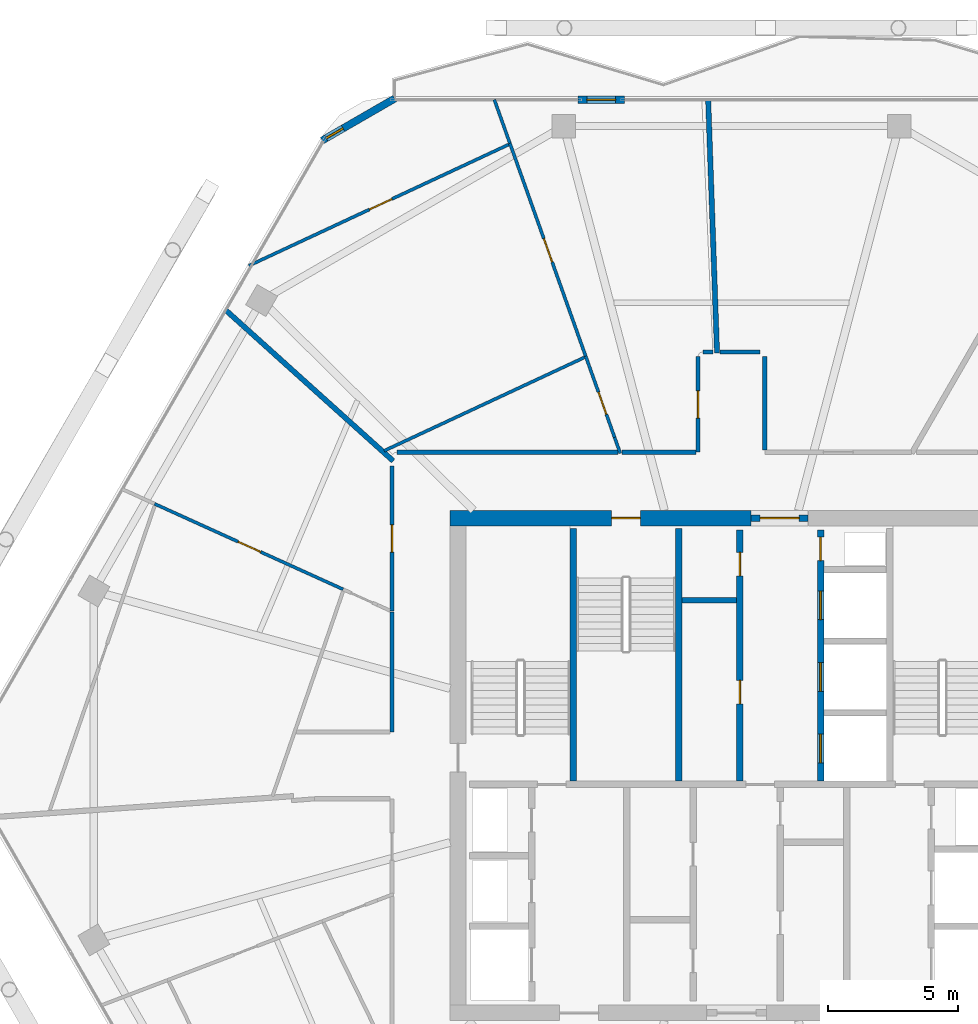
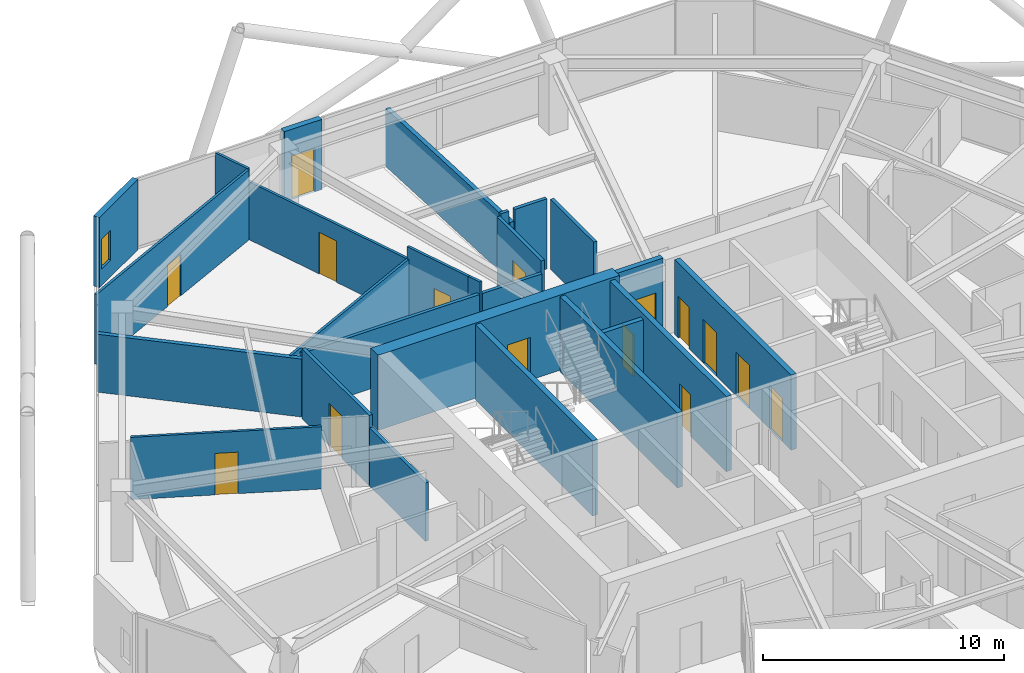
# One storey, part 23 of 26: 26 walls, 15 doors, 1 window, 16 openings.
"""IFC4 building model written with IfcOpenShell, lengths in metres."""

from ifc_helpers import new_model, si_unit, direction, frame, frame_2d, origin, place, context, subcontext, project, spatial, rectangle, extrude, material, layer, layer_set, type_object, element, fill, save


model = new_model("IFC4")

# Units and contexts
model_context = context("Model", 3, precision=1e-05, world=origin(), true_north=direction((0.0, 1.0)))
body_context = subcontext(model_context, "Body", "Model", "MODEL_VIEW")
ifc_project = project(units=[si_unit("LENGTHUNIT", "METRE"), si_unit("AREAUNIT", "SQUARE_METRE"), si_unit("VOLUMEUNIT", "CUBIC_METRE"), si_unit("PLANEANGLEUNIT", "RADIAN"), si_unit("MASSUNIT", "GRAM", prefix="KILO")], contexts=[model_context])

# Site, building, storey
site_placement = place(None, origin())
site = spatial("IfcSite", under=ifc_project, at=site_placement, CompositionType="ELEMENT")
building_placement = place(site_placement, origin())
building = spatial("IfcBuilding", under=site, at=building_placement, Name="Zuhravey Tower", CompositionType="ELEMENT")
storey_placement = place(building_placement, frame((0.0, 0.0, 231.199951171875)))
storey = spatial("IfcBuildingStorey", under=building, at=storey_placement, Name="L58", CompositionType="ELEMENT", Elevation=231.199951171875)

# Wall, opening, door
ifc_material_1 = material(Name="Concrete C50/60", Category="concrete")
ifc_layer_1 = layer(ifc_material_1, 0.60009765625)
ifc_layer_set_1 = layer_set([ifc_layer_1], Name="Concrete C50/60")
wall_type_1 = type_object("IfcWallType", Name="Core Shear Wall 600", PredefinedType="SHEAR", material=ifc_layer_set_1)
wall_1_placement = place(storey_placement, frame((36.75, 41.5, 0.0), z_axis=(0.0, 0.0, 1.0), x_axis=(-1.0, 0.0, 0.0)))
wall_1 = element("IfcWall", 1, at=wall_1_placement, inside=storey, type_object=wall_type_1, Name="L58 North-West Core Shear Wall CW60", PredefinedType="SHEAR", context=body_context, shape_type="SweptSolid", body=[
    extrude(rectangle(XDim=11.550048828125, YDim=0.60009765625, at=frame_2d((5.77490234375, 0.0))), origin(), (0.0, 0.0, 1.0), 3.800048828125),
])
opening_1_placement = place(wall_1_placement, frame((4.25, 0.0, 0.0)))
opening_1 = element("IfcOpeningElement", 2, at=opening_1_placement, cuts=wall_1, Name="Opening STD1", PredefinedType="OPENING", context=body_context, shape_type="SweptSolid", body=[
    extrude(rectangle(XDim=1.10009765625, YDim=2.14990234375, at=frame_2d((0.550048828125, 1.074951171875))), frame((0.0, 0.31201171875, 0.0), z_axis=(0.0, -1.0, 0.0), x_axis=(1.0, 0.0, 0.0)), (0.0, 0.0, 1.0), 0.6240234375),
])
ifc_material_2 = material(Name="Galvanised fire-rated steel leaf", Category="steel")
door_type_1 = type_object("IfcDoorType", Name="Protected Stair Fire Door 1100x2150", OperationType="NOTDEFINED", PredefinedType="USERDEFINED", material=ifc_material_2)
door_1_placement = place(opening_1_placement, origin())
door_1 = element("IfcDoor", 3, at=door_1_placement, inside=storey, type_object=door_type_1, Name="L58 Stair ST3 Door", ObjectType="EXITDOOR", OperationType="SINGLE_SWING_LEFT", OverallHeight=2.14990234375, OverallWidth=1.10009765625, PredefinedType="USERDEFINED", context=body_context, shape_type="SweptSolid", body=[
    extrude(rectangle(XDim=1.10009765625, YDim=2.14990234375, at=frame_2d((0.550048828125, 1.074951171875))), frame((0.0, 0.02490234375, 0.0), z_axis=(0.0, -1.0, 0.0), x_axis=(1.0, 0.0, 0.0)), (0.0, 0.0, 1.0), 0.050048828125),
])
fill(opening_1, door_1)

ifc_material_3 = material(Name="Gypsum fire-rated stud partition")
ifc_layer_2 = layer(ifc_material_3, 0.159912109375)
ifc_layer_set_2 = layer_set([ifc_layer_2], Name="Gypsum fire-rated stud partition")
wall_type_2 = type_object("IfcWallType", Name="Corridor Fire Partition 160", PredefinedType="PARTITIONING", material=ifc_layer_set_2)
wall_2_placement = place(storey_placement, frame((34.719970703125, 47.699951171875, 0.0), z_axis=(0.0, 0.0, 1.0), x_axis=(0.0, -1.0, 0.0)))
wall_2 = element("IfcWall", 4, at=wall_2_placement, inside=storey, type_object=wall_type_2, Name="L58 IW16 Partition 024", PredefinedType="PARTITIONING", context=body_context, shape_type="SweptSolid", body=[
    extrude(rectangle(XDim=3.669921875, YDim=0.159912109375, at=frame_2d((1.8349609375, 0.0))), origin(), (0.0, 0.0, 1.0), 3.550048828125),
])
opening_2_placement = place(wall_2_placement, frame((1.31005859375, 0.0, 0.0)))
opening_2 = element("IfcOpeningElement", 5, at=opening_2_placement, cuts=wall_2, Name="Opening APD1", PredefinedType="OPENING", context=body_context, shape_type="SweptSolid", body=[
    extrude(rectangle(XDim=1.050048828125, YDim=2.14990234375, at=frame_2d((0.52490234375, 1.074951171875))), frame((0.0, 0.092041015625, 0.0), z_axis=(0.0, -1.0, 0.0), x_axis=(1.0, 0.0, 0.0)), (0.0, 0.0, 1.0), 0.183837890625),
])
ifc_material_4 = material(Name="Solid-core oak fire-rated leaf")
door_type_2 = type_object("IfcDoorType", Name="Apartment Entrance Fire Door 1050x2150", OperationType="NOTDEFINED", PredefinedType="DOOR", material=ifc_material_4)
door_2_placement = place(opening_2_placement, frame((1.050048828125, 0.0, 0.0), z_axis=(0.0, 0.0, 1.0), x_axis=(-1.0, 0.0, 0.0)))
door_2 = element("IfcDoor", 6, at=door_2_placement, inside=storey, type_object=door_type_2, Name="L58 Door 024.1", OperationType="SINGLE_SWING_RIGHT", OverallHeight=2.14990234375, OverallWidth=1.050048828125, PredefinedType="DOOR", context=body_context, shape_type="SweptSolid", body=[
    extrude(rectangle(XDim=1.050048828125, YDim=2.14990234375, at=frame_2d((0.52490234375, 1.074951171875))), frame((0.0, 0.02490234375, 0.0), z_axis=(0.0, -1.0, 0.0), x_axis=(1.0, 0.0, 0.0)), (0.0, 0.0, 1.0), 0.050048828125),
])
fill(opening_2, door_2)

wall_3_placement = place(storey_placement, frame((22.969970703125, 43.501220703125, 0.0), z_axis=(0.0, 0.0, 1.0), x_axis=(0.0, -1.0, 0.0)))
wall_3 = element("IfcWall", 7, at=wall_3_placement, inside=storey, type_object=wall_type_2, Name="L58 IW16 Partition 028", PredefinedType="PARTITIONING", context=body_context, shape_type="SweptSolid", body=[
    extrude(rectangle(XDim=5.568603515625, YDim=0.159912109375, at=frame_2d((2.7841796875, 0.0))), origin(), (0.0, 0.0, 1.0), 3.550048828125),
])
opening_3_placement = place(wall_3_placement, frame((2.25927734375, 0.0, 0.0)))
opening_3 = element("IfcOpeningElement", 8, at=opening_3_placement, cuts=wall_3, Name="Opening APD1", PredefinedType="OPENING", context=body_context, shape_type="SweptSolid", body=[
    extrude(rectangle(XDim=1.050048828125, YDim=2.14990234375, at=frame_2d((0.52490234375, 1.074951171875))), frame((0.0, 0.092041015625, 0.0), z_axis=(0.0, -1.0, 0.0), x_axis=(1.0, 0.0, 0.0)), (0.0, 0.0, 1.0), 0.183837890625),
])
door_3_placement = place(opening_3_placement, frame((1.050048828125, 0.0, 0.0), z_axis=(0.0, 0.0, 1.0), x_axis=(-1.0, 0.0, 0.0)))
door_3 = element("IfcDoor", 9, at=door_3_placement, inside=storey, type_object=door_type_2, Name="L58 Door 028.1", OperationType="SINGLE_SWING_RIGHT", OverallHeight=2.14990234375, OverallWidth=1.050048828125, PredefinedType="DOOR", context=body_context, shape_type="SweptSolid", body=[
    extrude(rectangle(XDim=1.050048828125, YDim=2.14990234375, at=frame_2d((0.52490234375, 1.074951171875))), frame((0.0, 0.02490234375, 0.0), z_axis=(0.0, -1.0, 0.0), x_axis=(1.0, 0.0, 0.0)), (0.0, 0.0, 1.0), 0.050048828125),
])
fill(opening_3, door_3)

# Walls
wall_4_placement = place(storey_placement, frame((34.632080078125, 44.030029296875, 0.0), z_axis=(0.0, 0.0, 1.0), x_axis=(-1.0, 0.0, 0.0)))
element("IfcWall", 10, at=wall_4_placement, inside=storey, type_object=wall_type_2, Name="L58 IW16 Partition 094", PredefinedType="PARTITIONING", context=body_context, shape_type="SweptSolid", body=[
    extrude(rectangle(XDim=2.843505859375, YDim=0.159912109375, at=frame_2d((1.421875, 0.0))), origin(), (0.0, 0.0, 1.0), 2.949951171875),
])
wall_5_placement = place(storey_placement, frame((35.28662109375, 47.8798828125, 0.0), z_axis=(0.0, 0.0, 1.0), x_axis=(-1.0, 0.0, 0.0)))
element("IfcWall", 11, at=wall_5_placement, inside=storey, type_object=wall_type_2, Name="L58 IW16 Partition 095", PredefinedType="PARTITIONING", context=body_context, shape_type="SweptSolid", body=[
    extrude(rectangle(XDim=0.38671875, YDim=0.159912109375, at=frame_2d((0.193359375, 0.0))), origin(), (0.0, 0.0, 1.0), 3.550048828125),
])
wall_6_placement = place(storey_placement, frame((31.64404296875, 44.030029296875, 0.0), z_axis=(0.0, 0.0, 1.0), x_axis=(-1.0, 0.0, 0.0)))
element("IfcWall", 12, at=wall_6_placement, inside=storey, type_object=wall_type_2, Name="L58 IW16 Partition 096", PredefinedType="PARTITIONING", context=body_context, shape_type="SweptSolid", body=[
    extrude(rectangle(XDim=8.494140625, YDim=0.159912109375, at=frame_2d((4.2470703125, 0.0))), origin(), (0.0, 0.0, 1.0), 2.949951171875),
])
wall_7_placement = place(storey_placement, frame((22.969970703125, 37.888671875, 0.0), z_axis=(0.0, 0.0, 1.0), x_axis=(0.0, -1.0, 0.0)))
element("IfcWall", 13, at=wall_7_placement, inside=storey, type_object=wall_type_2, Name="L58 IW16 Partition 097", PredefinedType="PARTITIONING", context=body_context, shape_type="SweptSolid", body=[
    extrude(rectangle(XDim=4.608642578125, YDim=0.159912109375, at=frame_2d((2.30419921875, 0.0))), origin(), (0.0, 0.0, 1.0), 2.949951171875),
])
wall_8_placement = place(storey_placement, frame((37.280029296875, 44.117919921875, 0.0), z_axis=(0.0, 0.0, 1.0), x_axis=(0.0, 1.0, 0.0)))
element("IfcWall", 14, at=wall_8_placement, inside=storey, type_object=wall_type_2, Name="L58 IW16 Partition 114", PredefinedType="PARTITIONING", context=body_context, shape_type="SweptSolid", body=[
    extrude(rectangle(XDim=3.58203125, YDim=0.159912109375, at=frame_2d((1.791015625, 0.0))), origin(), (0.0, 0.0, 1.0), 3.550048828125),
])
wall_9_placement = place(storey_placement, frame((37.10009765625, 47.8798828125, 0.0), z_axis=(0.0, 0.0, 1.0), x_axis=(-1.0, 0.0, 0.0)))
element("IfcWall", 15, at=wall_9_placement, inside=storey, type_object=wall_type_2, Name="L58 IW16 Partition 115", PredefinedType="PARTITIONING", context=body_context, shape_type="SweptSolid", body=[
    extrude(rectangle(XDim=1.54638671875, YDim=0.159912109375, at=frame_2d((0.773193359375, 0.0))), origin(), (0.0, 0.0, 1.0), 3.550048828125),
])

# Wall, opening, window
ifc_material_5 = material(Name="Precast concrete C40/50", Category="concrete")
ifc_layer_3 = layer(ifc_material_5, 0.280029296875)
ifc_layer_set_3 = layer_set([ifc_layer_3], Name="Precast concrete C40/50")
wall_type_3 = type_object("IfcWallType", Name="Crown Architectural Wall 280", PredefinedType="SOLIDWALL", material=ifc_layer_set_3)
wall_10_placement = place(storey_placement, frame((20.285400390625, 56.003662109375, 0.0), z_axis=(0.0, 0.0, 1.0), x_axis=(0.866028773314, 0.499994163758, 0.0)))
wall_10 = element("IfcWall", 16, at=wall_10_placement, inside=storey, type_object=wall_type_3, Name="L58 Rounded Corner Closure Wall EW28-08", PredefinedType="SOLIDWALL", context=body_context, shape_type="SweptSolid", body=[
    extrude(rectangle(XDim=3.21484375, YDim=0.280029296875, at=frame_2d((1.607421875, 0.0))), origin(), (0.0, 0.0, 1.0), 3.550048828125),
])
opening_4_placement = place(wall_10_placement, frame((0.17578125, 0.0, 0.85009765625)))
opening_4 = element("IfcOpeningElement", 17, at=opening_4_placement, cuts=wall_10, Name="Opening WN5", PredefinedType="OPENING", context=body_context, shape_type="SweptSolid", body=[
    extrude(rectangle(XDim=0.75, YDim=1.5, at=frame_2d((0.375, 0.75))), frame((0.0, 0.152099609375, 0.0), z_axis=(0.0, -1.0, 0.0), x_axis=(1.0, 0.0, 0.0)), (0.0, 0.0, 1.0), 0.303955078125),
])
ifc_material_6 = material(Name="Thermally broken aluminium and triple low-E glass", Category="aluminium")
window_type = type_object("IfcWindowType", Name="Residential Corner Casement Window 750x1500", PartitioningType="SINGLE_PANEL", PredefinedType="WINDOW", material=ifc_material_6)
window_placement = place(opening_4_placement, origin())
window = element("IfcWindow", 18, at=window_placement, inside=storey, type_object=window_type, Name="L58 Corner Casement Window WN5-08.1", OverallHeight=1.5, OverallWidth=0.75, PartitioningType="SINGLE_PANEL", PredefinedType="WINDOW", context=body_context, shape_type="SweptSolid", body=[
    extrude(rectangle(XDim=0.75, YDim=1.5, at=frame_2d((0.375, 0.75))), frame((0.0, 0.030029296875, 0.0), z_axis=(0.0, -1.0, 0.0), x_axis=(1.0, 0.0, 0.0)), (0.0, 0.0, 1.0), 0.06005859375),
])
fill(opening_4, window)

# Wall, opening, door
wall_11_placement = place(storey_placement, frame((30.10400390625, 57.563720703125, 0.0), z_axis=(0.0, 0.0, 1.0), x_axis=(1.0, 0.0, 0.0)))
wall_11 = element("IfcWall", 19, at=wall_11_placement, inside=storey, type_object=wall_type_3, Name="L58 Face 2 Facade Pier EW28-1", PredefinedType="SOLIDWALL", context=body_context, shape_type="SweptSolid", body=[
    extrude(rectangle(XDim=1.7900390625, YDim=0.280029296875, at=frame_2d((0.89501953125, 0.0))), origin(), (0.0, 0.0, 1.0), 3.550048828125),
])
opening_5_placement = place(wall_11_placement, frame((0.344970703125, 0.0, 0.0)))
opening_5 = element("IfcOpeningElement", 20, at=opening_5_placement, cuts=wall_11, Name="Opening BLD1", PredefinedType="OPENING", context=body_context, shape_type="SweptSolid", body=[
    extrude(rectangle(XDim=1.10009765625, YDim=2.199951171875, at=frame_2d((0.550048828125, 1.10009765625))), frame((0.0, 0.152099609375, 0.0), z_axis=(0.0, -1.0, 0.0), x_axis=(1.0, 0.0, 0.0)), (0.0, 0.0, 1.0), 0.303955078125),
])
ifc_material_7 = material(Name="Thermally broken aluminium and low-E glass", Category="aluminium")
door_type_3 = type_object("IfcDoorType", Name="Balcony & Sky-Tray Glazed Door 1100x2200", OperationType="NOTDEFINED", PredefinedType="DOOR", material=ifc_material_7)
door_4_placement = place(opening_5_placement, frame((1.10009765625, 0.0, 0.0), z_axis=(0.0, 0.0, 1.0), x_axis=(-1.0, 0.0, 0.0)))
door_4 = element("IfcDoor", 21, at=door_4_placement, inside=storey, type_object=door_type_3, Name="L58 Face 2 Wave Balcony Door", OperationType="SINGLE_SWING_RIGHT", OverallHeight=2.199951171875, OverallWidth=1.10009765625, PredefinedType="DOOR", context=body_context, shape_type="SweptSolid", body=[
    extrude(rectangle(XDim=1.10009765625, YDim=2.199951171875, at=frame_2d((0.550048828125, 1.10009765625))), frame((0.0, 0.02490234375, 0.0), z_axis=(0.0, -1.0, 0.0), x_axis=(1.0, 0.0, 0.0)), (0.0, 0.0, 1.0), 0.050048828125),
])
fill(opening_5, door_4)

ifc_layer_4 = layer(ifc_material_1, 0.25)
ifc_layer_set_4 = layer_set([ifc_layer_4], Name="Concrete C50/60")
wall_type_4 = type_object("IfcWallType", Name="Firefighting Shaft & Stair Wall 250", PredefinedType="SOLIDWALL", material=ifc_layer_set_4)
wall_12_placement = place(storey_placement, frame((36.760009765625, 41.5, 0.0), z_axis=(0.0, 0.0, 1.0), x_axis=(1.0, 0.0, 0.0)))
wall_12 = element("IfcWall", 22, at=wall_12_placement, inside=storey, type_object=wall_type_4, Name="L58 FW25 Shaft Wall 002", PredefinedType="SOLIDWALL", context=body_context, shape_type="SweptSolid", body=[
    extrude(rectangle(XDim=2.179931640625, YDim=0.25, at=frame_2d((1.08984375, 0.0))), origin(), (0.0, 0.0, 1.0), 3.800048828125),
])
opening_6_placement = place(wall_12_placement, frame((0.340087890625, 0.0, 0.0)))
opening_6 = element("IfcOpeningElement", 23, at=opening_6_placement, cuts=wall_12, Name="Opening FFD1", PredefinedType="OPENING", context=body_context, shape_type="SweptSolid", body=[
    extrude(rectangle(XDim=1.5, YDim=2.14990234375, at=frame_2d((0.75, 1.074951171875))), frame((0.0, 0.136962890625, 0.0), z_axis=(0.0, -1.0, 0.0), x_axis=(1.0, 0.0, 0.0)), (0.0, 0.0, 1.0), 0.27392578125),
])
door_type_4 = type_object("IfcDoorType", Name="Firefighting Lobby Double Door 1500x2150", OperationType="DOUBLE_DOOR_SINGLE_SWING", PredefinedType="DOOR", material=ifc_material_2)
door_5_placement = place(opening_6_placement, origin())
door_5 = element("IfcDoor", 24, at=door_5_placement, inside=storey, type_object=door_type_4, Name="L58 North Lift Lobby Exit Door", OperationType="DOUBLE_DOOR_SINGLE_SWING", OverallHeight=2.14990234375, OverallWidth=1.5, PredefinedType="DOOR", context=body_context, shape_type="SweptSolid", body=[
    extrude(rectangle(XDim=1.5, YDim=2.14990234375, at=frame_2d((0.75, 1.074951171875))), frame((0.0, 0.02490234375, 0.0), z_axis=(0.0, -1.0, 0.0), x_axis=(1.0, 0.0, 0.0)), (0.0, 0.0, 1.0), 0.050048828125),
])
fill(opening_6, door_5)

# Walls
for number, where, z_axis, x_axis, name in (
    (25, (29.925048828125, 31.39990234375, 0.0), (0.0, 0.0, 1.0), (0.0, 1.0, 0.0), "L58 FW25 Shaft Wall 004"),
    (26, (33.97509765625, 31.39990234375, 0.0), (0.0, 0.0, 1.0), (0.0, 1.0, 0.0), "L58 FW25 Shaft Wall 005"),
):
    element("IfcWall", number, at=place(storey_placement, frame(where, z_axis=z_axis, x_axis=x_axis)), inside=storey, type_object=wall_type_4, Name=name, PredefinedType="SOLIDWALL", context=body_context, shape_type="SweptSolid", body=[
        extrude(rectangle(XDim=9.7001953125, YDim=0.25, at=frame_2d((4.85009765625, 0.0))), origin(), (0.0, 0.0, 1.0), 3.800048828125),
    ])

# Wall, openings, doors
wall_13_placement = place(storey_placement, frame((36.324951171875, 31.39990234375, 0.0), z_axis=(0.0, 0.0, 1.0), x_axis=(0.0, 1.0, 0.0)))
wall_13 = element("IfcWall", 27, at=wall_13_placement, inside=storey, type_object=wall_type_4, Name="L58 FW25 Shaft Wall 007", PredefinedType="SOLIDWALL", context=body_context, shape_type="SweptSolid", body=[
    extrude(rectangle(XDim=9.650146484375, YDim=0.25, at=frame_2d((4.8251953125, 0.0))), origin(), (0.0, 0.0, 1.0), 3.800048828125),
])
opening_7_placement = place(wall_13_placement, frame((2.965087890625, 0.0, 0.0)))
opening_7 = element("IfcOpeningElement", 28, at=opening_7_placement, cuts=wall_13, Name="Opening RSD1", PredefinedType="OPENING", context=body_context, shape_type="SweptSolid", body=[
    extrude(rectangle(XDim=0.89990234375, YDim=2.10009765625, at=frame_2d((0.449951171875, 1.050048828125))), frame((0.0, 0.136962890625, 0.0), z_axis=(0.0, -1.0, 0.0), x_axis=(1.0, 0.0, 0.0)), (0.0, 0.0, 1.0), 0.27392578125),
])
opening_8_placement = place(wall_13_placement, frame((7.885009765625, 0.0, 0.0)))
opening_8 = element("IfcOpeningElement", 29, at=opening_8_placement, cuts=wall_13, Name="Opening RSD1", PredefinedType="OPENING", context=body_context, shape_type="SweptSolid", body=[
    extrude(rectangle(XDim=0.89990234375, YDim=2.10009765625, at=frame_2d((0.449951171875, 1.050048828125))), frame((0.0, 0.136962890625, 0.0), z_axis=(0.0, -1.0, 0.0), x_axis=(1.0, 0.0, 0.0)), (0.0, 0.0, 1.0), 0.27392578125),
])
ifc_material_8 = material(Name="Galvanised fire-rated steel access leaf", Category="steel")
door_type_5 = type_object("IfcDoorType", Name="Riser & Shaft Access Fire Door 900x2100", OperationType="NOTDEFINED", PredefinedType="DOOR", material=ifc_material_8)
door_6_placement = place(opening_7_placement, origin())
door_6 = element("IfcDoor", 30, at=door_6_placement, inside=storey, type_object=door_type_5, Name="L58 Equipment and Refuse Store Door", OperationType="SINGLE_SWING_LEFT", OverallHeight=2.10009765625, OverallWidth=0.89990234375, PredefinedType="DOOR", context=body_context, shape_type="SweptSolid", body=[
    extrude(rectangle(XDim=0.89990234375, YDim=2.10009765625, at=frame_2d((0.449951171875, 1.050048828125))), frame((0.0, 0.02490234375, 0.0), z_axis=(0.0, -1.0, 0.0), x_axis=(1.0, 0.0, 0.0)), (0.0, 0.0, 1.0), 0.050048828125),
])
fill(opening_7, door_6)
door_7_placement = place(opening_8_placement, origin())
door_7 = element("IfcDoor", 31, at=door_7_placement, inside=storey, type_object=door_type_5, Name="L58 BMS Control Room Door", OperationType="SINGLE_SWING_RIGHT", OverallHeight=2.10009765625, OverallWidth=0.89990234375, PredefinedType="DOOR", context=body_context, shape_type="SweptSolid", body=[
    extrude(rectangle(XDim=0.89990234375, YDim=2.10009765625, at=frame_2d((0.449951171875, 1.050048828125))), frame((0.0, 0.02490234375, 0.0), z_axis=(0.0, -1.0, 0.0), x_axis=(1.0, 0.0, 0.0)), (0.0, 0.0, 1.0), 0.050048828125),
])
fill(opening_8, door_7)

wall_14_placement = place(storey_placement, frame((39.425048828125, 31.39990234375, 0.0), z_axis=(0.0, 0.0, 1.0), x_axis=(0.0, 1.0, 0.0)))
wall_14 = element("IfcWall", 32, at=wall_14_placement, inside=storey, type_object=wall_type_4, Name="L58 FW25 Shaft Wall 008", PredefinedType="SOLIDWALL", context=body_context, shape_type="SweptSolid", body=[
    extrude(rectangle(XDim=9.650146484375, YDim=0.25, at=frame_2d((4.8251953125, 0.0))), origin(), (0.0, 0.0, 1.0), 3.800048828125),
])
opening_9_placement = place(wall_14_placement, frame((0.699951171875, 0.0, 0.0)))
opening_9 = element("IfcOpeningElement", 33, at=opening_9_placement, cuts=wall_14, Name="Opening LD1", PredefinedType="OPENING", context=body_context, shape_type="SweptSolid", body=[
    extrude(rectangle(XDim=1.10009765625, YDim=2.199951171875, at=frame_2d((0.550048828125, 1.10009765625))), frame((0.0, 0.136962890625, 0.0), z_axis=(0.0, -1.0, 0.0), x_axis=(1.0, 0.0, 0.0)), (0.0, 0.0, 1.0), 0.27392578125),
])
opening_10_placement = place(wall_14_placement, frame((3.449951171875, 0.0, 0.0)))
opening_10 = element("IfcOpeningElement", 34, at=opening_10_placement, cuts=wall_14, Name="Opening LD1", PredefinedType="OPENING", context=body_context, shape_type="SweptSolid", body=[
    extrude(rectangle(XDim=1.10009765625, YDim=2.199951171875, at=frame_2d((0.550048828125, 1.10009765625))), frame((0.0, 0.136962890625, 0.0), z_axis=(0.0, -1.0, 0.0), x_axis=(1.0, 0.0, 0.0)), (0.0, 0.0, 1.0), 0.27392578125),
])
opening_11_placement = place(wall_14_placement, frame((6.199951171875, 0.0, 0.0)))
opening_11 = element("IfcOpeningElement", 35, at=opening_11_placement, cuts=wall_14, Name="Opening LD1", PredefinedType="OPENING", context=body_context, shape_type="SweptSolid", body=[
    extrude(rectangle(XDim=1.10009765625, YDim=2.199951171875, at=frame_2d((0.550048828125, 1.10009765625))), frame((0.0, 0.136962890625, 0.0), z_axis=(0.0, -1.0, 0.0), x_axis=(1.0, 0.0, 0.0)), (0.0, 0.0, 1.0), 0.27392578125),
])
opening_12_placement = place(wall_14_placement, frame((8.469970703125, 0.0, 0.0)))
opening_12 = element("IfcOpeningElement", 36, at=opening_12_placement, cuts=wall_14, Name="Opening RSD1", PredefinedType="OPENING", context=body_context, shape_type="SweptSolid", body=[
    extrude(rectangle(XDim=0.89990234375, YDim=2.10009765625, at=frame_2d((0.449951171875, 1.050048828125))), frame((0.0, 0.136962890625, 0.0), z_axis=(0.0, -1.0, 0.0), x_axis=(1.0, 0.0, 0.0)), (0.0, 0.0, 1.0), 0.27392578125),
])
ifc_material_9 = material(Name="Brushed stainless steel", Category="steel")
door_type_6 = type_object("IfcDoorType", Name="Lift Landing Sliding Door 1100x2200", OperationType="DOUBLE_DOOR_SLIDING", PredefinedType="DOOR", material=ifc_material_9)
door_8_placement = place(opening_9_placement, origin())
door_8 = element("IfcDoor", 37, at=door_8_placement, inside=storey, type_object=door_type_6, Name="L58 Lift PL7 Landing Door", OperationType="DOUBLE_DOOR_SLIDING", OverallHeight=2.199951171875, OverallWidth=1.10009765625, PredefinedType="DOOR", context=body_context, shape_type="SweptSolid", body=[
    extrude(rectangle(XDim=1.10009765625, YDim=2.199951171875, at=frame_2d((0.550048828125, 1.10009765625))), frame((0.0, 0.02490234375, 0.0), z_axis=(0.0, -1.0, 0.0), x_axis=(1.0, 0.0, 0.0)), (0.0, 0.0, 1.0), 0.050048828125),
])
fill(opening_9, door_8)
door_9_placement = place(opening_10_placement, origin())
door_9 = element("IfcDoor", 38, at=door_9_placement, inside=storey, type_object=door_type_6, Name="L58 Lift PL8 Landing Door", OperationType="DOUBLE_DOOR_SLIDING", OverallHeight=2.199951171875, OverallWidth=1.10009765625, PredefinedType="DOOR", context=body_context, shape_type="SweptSolid", body=[
    extrude(rectangle(XDim=1.10009765625, YDim=2.199951171875, at=frame_2d((0.550048828125, 1.10009765625))), frame((0.0, 0.02490234375, 0.0), z_axis=(0.0, -1.0, 0.0), x_axis=(1.0, 0.0, 0.0)), (0.0, 0.0, 1.0), 0.050048828125),
])
fill(opening_10, door_9)
door_10_placement = place(opening_11_placement, origin())
door_10 = element("IfcDoor", 39, at=door_10_placement, inside=storey, type_object=door_type_6, Name="L58 Lift PL9 Landing Door", OperationType="DOUBLE_DOOR_SLIDING", OverallHeight=2.199951171875, OverallWidth=1.10009765625, PredefinedType="DOOR", context=body_context, shape_type="SweptSolid", body=[
    extrude(rectangle(XDim=1.10009765625, YDim=2.199951171875, at=frame_2d((0.550048828125, 1.10009765625))), frame((0.0, 0.02490234375, 0.0), z_axis=(0.0, -1.0, 0.0), x_axis=(1.0, 0.0, 0.0)), (0.0, 0.0, 1.0), 0.050048828125),
])
fill(opening_11, door_10)
door_11_placement = place(opening_12_placement, origin())
door_11 = element("IfcDoor", 40, at=door_11_placement, inside=storey, type_object=door_type_5, Name="L58 North Riser Door", OperationType="SINGLE_SWING_LEFT", OverallHeight=2.10009765625, OverallWidth=0.89990234375, PredefinedType="DOOR", context=body_context, shape_type="SweptSolid", body=[
    extrude(rectangle(XDim=0.89990234375, YDim=2.10009765625, at=frame_2d((0.449951171875, 1.050048828125))), frame((0.0, 0.02490234375, 0.0), z_axis=(0.0, -1.0, 0.0), x_axis=(1.0, 0.0, 0.0)), (0.0, 0.0, 1.0), 0.050048828125),
])
fill(opening_12, door_11)

# Walls
ifc_material_10 = material(Name="Gypsum double-stud party assembly")
ifc_layer_5 = layer(ifc_material_10, 0.199951171875)
ifc_layer_set_5 = layer_set([ifc_layer_5], Name="Gypsum double-stud party assembly")
wall_type_5 = type_object("IfcWallType", Name="Inter-Tenancy Party Wall 200", PredefinedType="PARTITIONING", material=ifc_layer_set_5)
wall_15_placement = place(storey_placement, frame((35.447021484375, 47.840087890625, 0.0), z_axis=(0.0, 0.0, 1.0), x_axis=(-0.034903897424, 0.999390673333, 0.0)))
element("IfcWall", 41, at=wall_15_placement, inside=storey, type_object=wall_type_5, Name="L58 IW20 Partition 058", PredefinedType="PARTITIONING", context=body_context, shape_type="SweptSolid", body=[
    extrude(rectangle(XDim=9.7294921875, YDim=0.199951171875, at=frame_2d((4.86474609375, 0.0))), origin(), (0.0, 0.0, 1.0), 2.929931640625),
])
wall_16_placement = place(storey_placement, frame((23.010009765625, 43.6962890625, 0.0), z_axis=(0.0, 0.0, 1.0), x_axis=(-0.743146853016, 0.669128354542, 0.0)))
element("IfcWall", 42, at=wall_16_placement, inside=storey, type_object=wall_type_5, Name="L58 IW20 Partition 062", PredefinedType="PARTITIONING", context=body_context, shape_type="SweptSolid", body=[
    extrude(rectangle(XDim=8.655029296875, YDim=0.199951171875, at=frame_2d((4.32763671875, 0.0))), origin(), (0.0, 0.0, 1.0), 2.929931640625),
])
ifc_material_11 = material(Name="Gypsum acoustic stud assembly")
ifc_layer_6 = layer(ifc_material_11, 0.219970703125)
ifc_layer_set_6 = layer_set([ifc_layer_6], Name="Gypsum acoustic stud assembly")
wall_type_6 = type_object("IfcWallType", Name="School Acoustic Compartment Wall 220", PredefinedType="PARTITIONING", material=ifc_layer_set_6)
wall_17_placement = place(storey_placement, frame((34.10791015625, 38.35009765625, 0.0), z_axis=(0.0, 0.0, 1.0), x_axis=(1.0, 0.0, 0.0)))
element("IfcWall", 43, at=wall_17_placement, inside=storey, type_object=wall_type_6, Name="L58 IW22 Partition 054", PredefinedType="PARTITIONING", context=body_context, shape_type="SweptSolid", body=[
    extrude(rectangle(XDim=2.083984375, YDim=0.219970703125, at=frame_2d((1.0419921875, 0.0))), origin(), (0.0, 0.0, 1.0), 3.550048828125),
])

# Wall, opening, door
ifc_material_12 = material(Name="Gypsum metal-stud partition")
ifc_layer_7 = layer(ifc_material_12, 0.1201171875)
ifc_layer_set_7 = layer_set([ifc_layer_7], Name="Gypsum metal-stud partition")
wall_type_7 = type_object("IfcWallType", Name="Unit Internal Partition 120", PredefinedType="PARTITIONING", material=ifc_layer_set_7)
wall_18_placement = place(storey_placement, frame((31.51318359375, 44.60009765625, 0.0), z_axis=(0.0, 0.0, 1.0), x_axis=(-0.335421123767, 0.94206829356, 0.0)))
wall_18 = element("IfcWall", 44, at=wall_18_placement, inside=storey, type_object=wall_type_7, Name="L58 IW12 Partition 021", PredefinedType="PARTITIONING", context=body_context, shape_type="SweptSolid", body=[
    extrude(rectangle(XDim=3.3125, YDim=0.1201171875, at=frame_2d((1.65625, 0.0))), origin(), (0.0, 0.0, 1.0), 3.550048828125),
])
opening_13_placement = place(wall_18_placement, frame((0.94140625, 0.0, 0.0)))
opening_13 = element("IfcOpeningElement", 45, at=opening_13_placement, cuts=wall_18, Name="Opening WCD1", PredefinedType="OPENING", context=body_context, shape_type="SweptSolid", body=[
    extrude(rectangle(XDim=0.89990234375, YDim=2.10009765625, at=frame_2d((0.449951171875, 1.050048828125))), frame((0.0, 0.072021484375, 0.0), z_axis=(0.0, -1.0, 0.0), x_axis=(1.0, 0.0, 0.0)), (0.0, 0.0, 1.0), 0.14404296875),
])
ifc_material_13 = material(Name="Moisture-resistant timber leaf", Category="wood")
door_type_7 = type_object("IfcDoorType", Name="Bathroom & WC Internal Door 900x2100", OperationType="NOTDEFINED", PredefinedType="DOOR", material=ifc_material_13)
door_12_placement = place(opening_13_placement, origin())
door_12 = element("IfcDoor", 46, at=door_12_placement, inside=storey, type_object=door_type_7, Name="Apartment L58-01 Bathroom Door", OperationType="SINGLE_SWING_LEFT", OverallHeight=2.10009765625, OverallWidth=0.89990234375, PredefinedType="DOOR", context=body_context, shape_type="SweptSolid", body=[
    extrude(rectangle(XDim=0.89990234375, YDim=2.10009765625, at=frame_2d((0.449951171875, 1.050048828125))), frame((0.0, 0.02490234375, 0.0), z_axis=(0.0, -1.0, 0.0), x_axis=(1.0, 0.0, 0.0)), (0.0, 0.0, 1.0), 0.050048828125),
])
fill(opening_13, door_12)

wall_19_placement = place(storey_placement, frame((30.402099609375, 47.720703125, 0.0), z_axis=(0.0, 0.0, 1.0), x_axis=(-0.335444891368, 0.942059830826, 0.0)))
wall_19 = element("IfcWall", 47, at=wall_19_placement, inside=storey, type_object=wall_type_7, Name="L58 IW12 Partition 022", PredefinedType="PARTITIONING", context=body_context, shape_type="SweptSolid", body=[
    extrude(rectangle(XDim=8.675537109375, YDim=0.1201171875, at=frame_2d((4.337890625, 0.0))), origin(), (0.0, 0.0, 1.0), 2.929931640625),
])
opening_14_placement = place(wall_19_placement, frame((3.837890625, 0.0, 0.0)))
opening_14 = element("IfcOpeningElement", 48, at=opening_14_placement, cuts=wall_19, Name="Opening IND1", PredefinedType="OPENING", context=body_context, shape_type="SweptSolid", body=[
    extrude(rectangle(XDim=0.949951171875, YDim=2.10009765625, at=frame_2d((0.47509765625, 1.050048828125))), frame((0.0, 0.072021484375, 0.0), z_axis=(0.0, -1.0, 0.0), x_axis=(1.0, 0.0, 0.0)), (0.0, 0.0, 1.0), 0.14404296875),
])
ifc_material_14 = material(Name="Painted engineered timber leaf", Category="wood")
door_type_8 = type_object("IfcDoorType", Name="Internal Room & Bedroom Door 950x2100", OperationType="NOTDEFINED", PredefinedType="DOOR", material=ifc_material_14)
door_13_placement = place(opening_14_placement, origin())
door_13 = element("IfcDoor", 49, at=door_13_placement, inside=storey, type_object=door_type_8, Name="Apartment L58-01 Home Office Door", OperationType="SINGLE_SWING_RIGHT", OverallHeight=2.10009765625, OverallWidth=0.949951171875, PredefinedType="DOOR", context=body_context, shape_type="SweptSolid", body=[
    extrude(rectangle(XDim=0.949951171875, YDim=2.10009765625, at=frame_2d((0.47509765625, 1.050048828125))), frame((0.0, 0.02490234375, 0.0), z_axis=(0.0, -1.0, 0.0), x_axis=(1.0, 0.0, 0.0)), (0.0, 0.0, 1.0), 0.050048828125),
])
fill(opening_14, door_13)

wall_20_placement = place(storey_placement, frame((27.438232421875, 55.84130859375, 0.0), z_axis=(0.0, 0.0, 1.0), x_axis=(-0.906302762653, -0.4226290364, 0.0)))
wall_20 = element("IfcWall", 50, at=wall_20_placement, inside=storey, type_object=wall_type_7, Name="L58 IW12 Partition 023", PredefinedType="PARTITIONING", context=body_context, shape_type="SweptSolid", body=[
    extrude(rectangle(XDim=10.998291015625, YDim=0.1201171875, at=frame_2d((5.4990234375, 0.0))), origin(), (0.0, 0.0, 1.0), 3.550048828125),
])
opening_15_placement = place(wall_20_placement, frame((4.939697265625, 0.0, 0.0)))
opening_15 = element("IfcOpeningElement", 51, at=opening_15_placement, cuts=wall_20, Name="Opening IND1", PredefinedType="OPENING", context=body_context, shape_type="SweptSolid", body=[
    extrude(rectangle(XDim=0.949951171875, YDim=2.10009765625, at=frame_2d((0.47509765625, 1.050048828125))), frame((0.0, 0.072021484375, 0.0), z_axis=(0.0, -1.0, 0.0), x_axis=(1.0, 0.0, 0.0)), (0.0, 0.0, 1.0), 0.14404296875),
])
door_14_placement = place(opening_15_placement, frame((0.949951171875, 0.0, 0.0), z_axis=(0.0, 0.0, 1.0), x_axis=(-1.0, 0.0, 0.0)))
door_14 = element("IfcDoor", 52, at=door_14_placement, inside=storey, type_object=door_type_8, Name="Apartment L58-01 Bedroom 1 Door", OperationType="SINGLE_SWING_LEFT", OverallHeight=2.10009765625, OverallWidth=0.949951171875, PredefinedType="DOOR", context=body_context, shape_type="SweptSolid", body=[
    extrude(rectangle(XDim=0.949951171875, YDim=2.10009765625, at=frame_2d((0.47509765625, 1.050048828125))), frame((0.0, 0.02490234375, 0.0), z_axis=(0.0, -1.0, 0.0), x_axis=(1.0, 0.0, 0.0)), (0.0, 0.0, 1.0), 0.050048828125),
])
fill(opening_15, door_14)

wall_21_placement = place(storey_placement, frame((21.08544921875, 38.765625, 0.0), z_axis=(0.0, 0.0, 1.0), x_axis=(-0.91068296075, 0.413105973085, 0.0)))
wall_21 = element("IfcWall", 53, at=wall_21_placement, inside=storey, type_object=wall_type_7, Name="L58 IW12 Partition 026", PredefinedType="PARTITIONING", context=body_context, shape_type="SweptSolid", body=[
    extrude(rectangle(XDim=7.9453125, YDim=0.1201171875, at=frame_2d((3.97265625, 0.0))), origin(), (0.0, 0.0, 1.0), 3.150146484375),
])
opening_16_placement = place(wall_21_placement, frame((3.47265625, 0.0, 0.0)))
opening_16 = element("IfcOpeningElement", 54, at=opening_16_placement, cuts=wall_21, Name="Opening IND1", PredefinedType="OPENING", context=body_context, shape_type="SweptSolid", body=[
    extrude(rectangle(XDim=0.949951171875, YDim=2.10009765625, at=frame_2d((0.47509765625, 1.050048828125))), frame((0.0, 0.072021484375, 0.0), z_axis=(0.0, -1.0, 0.0), x_axis=(1.0, 0.0, 0.0)), (0.0, 0.0, 1.0), 0.14404296875),
])
door_15_placement = place(opening_16_placement, origin())
door_15 = element("IfcDoor", 55, at=door_15_placement, inside=storey, type_object=door_type_8, Name="Apartment L58-02 Home Office Door", OperationType="SINGLE_SWING_RIGHT", OverallHeight=2.10009765625, OverallWidth=0.949951171875, PredefinedType="DOOR", context=body_context, shape_type="SweptSolid", body=[
    extrude(rectangle(XDim=0.949951171875, YDim=2.10009765625, at=frame_2d((0.47509765625, 1.050048828125))), frame((0.0, 0.02490234375, 0.0), z_axis=(0.0, -1.0, 0.0), x_axis=(1.0, 0.0, 0.0)), (0.0, 0.0, 1.0), 0.050048828125),
])
fill(opening_16, door_15)

# Walls
wall_22_placement = place(storey_placement, frame((31.731689453125, 43.986572265625, 0.0), z_axis=(0.0, 0.0, 1.0), x_axis=(-0.335505115036, 0.942038384454, 0.0)))
element("IfcWall", 56, at=wall_22_placement, inside=storey, type_object=wall_type_7, Name="L58 IW12 Partition 059", PredefinedType="PARTITIONING", context=body_context, shape_type="SweptSolid", body=[
    extrude(rectangle(XDim=0.6513671875, YDim=0.1201171875, at=frame_2d((0.32568359375, 0.0))), origin(), (0.0, 0.0, 1.0), 3.550048828125),
])
wall_23_placement = place(storey_placement, frame((27.491943359375, 55.8935546875, 0.0), z_axis=(0.0, 0.0, 1.0), x_axis=(-0.335440333939, 0.942061453604, 0.0)))
element("IfcWall", 57, at=wall_23_placement, inside=storey, type_object=wall_type_7, Name="L58 IW12 Partition 060", PredefinedType="PARTITIONING", context=body_context, shape_type="SweptSolid", body=[
    extrude(rectangle(XDim=1.778076171875, YDim=0.1201171875, at=frame_2d((0.88916015625, 0.0))), origin(), (0.0, 0.0, 1.0), 3.550048828125),
])
wall_24_placement = place(storey_placement, frame((30.3486328125, 47.668212890625, 0.0), z_axis=(0.0, 0.0, 1.0), x_axis=(-0.906307413794, -0.422619062162, 0.0)))
element("IfcWall", 58, at=wall_24_placement, inside=storey, type_object=wall_type_7, Name="L58 IW12 Partition 061", PredefinedType="PARTITIONING", context=body_context, shape_type="SweptSolid", body=[
    extrude(rectangle(XDim=8.479248046875, YDim=0.1201171875, at=frame_2d((4.23974609375, 0.0))), origin(), (0.0, 0.0, 1.0), 2.949951171875),
])

save(model, "model.ifc")
